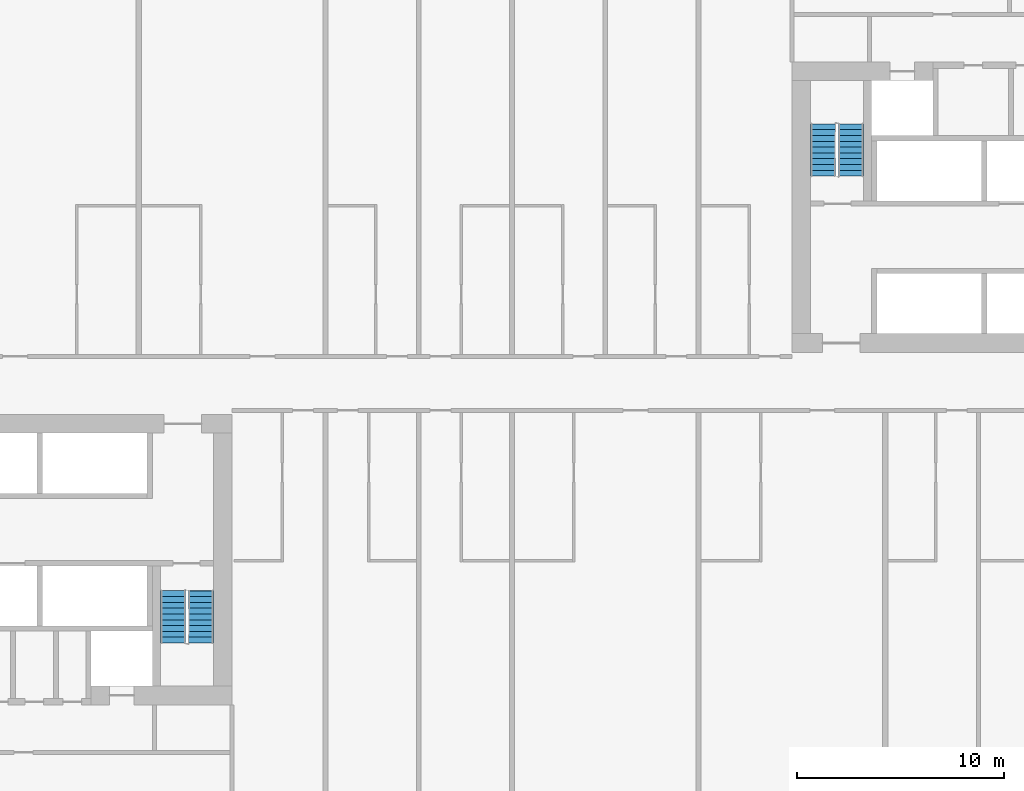
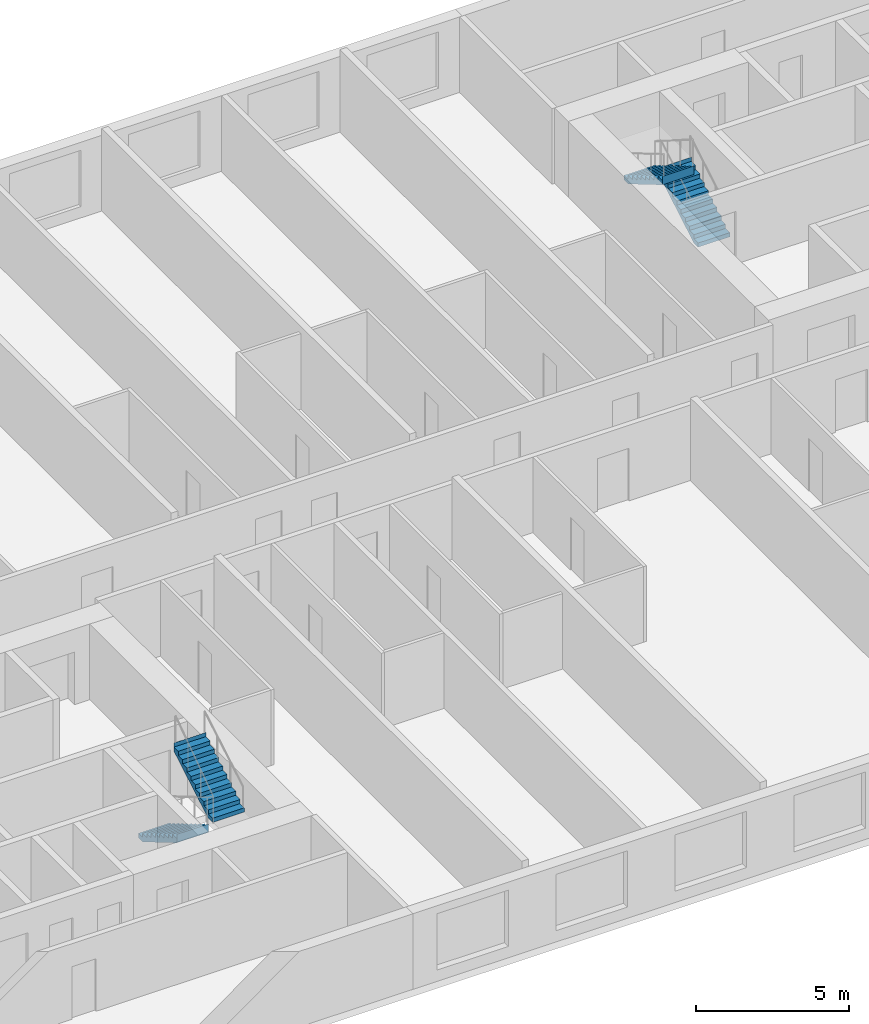
# One storey, part 10 of 12: 4 stair flights, 2 elements without a shape of their own.
"""IFC4 building model written with IfcOpenShell, lengths in metres."""

from ifc_helpers import new_model, si_unit, direction, frame, origin, place, context, subcontext, project, spatial, faceted_brep, material, type_object, element, aggregate, save


model = new_model("IFC4")

# Units and contexts
model_context = context("Model", 3, precision=1e-05, world=origin(), true_north=direction((0.0, 1.0)))
body_context = subcontext(model_context, "Body", "Model", "MODEL_VIEW")
ifc_project = project(units=[si_unit("LENGTHUNIT", "METRE"), si_unit("AREAUNIT", "SQUARE_METRE"), si_unit("VOLUMEUNIT", "CUBIC_METRE"), si_unit("PLANEANGLEUNIT", "RADIAN"), si_unit("MASSUNIT", "GRAM", prefix="KILO")], contexts=[model_context])

# Site, building, storey
site_placement = place(None, origin())
site = spatial("IfcSite", under=ifc_project, at=site_placement, CompositionType="ELEMENT")
building_placement = place(site_placement, origin())
building = spatial("IfcBuilding", under=site, at=building_placement, Name="Kajstack Hotel Tower", CompositionType="ELEMENT")
storey_placement = place(building_placement, frame((0.0, 0.0, 73.199951171875)))
storey = spatial("IfcBuildingStorey", under=building, at=storey_placement, Name="L13", CompositionType="ELEMENT", Elevation=73.199951171875)

# Stair, stair flights
ifc_material = material(Name="Concrete C40/50", Category="concrete")
stair_type = type_object("IfcStairType", Name="Exit stair 1200", PredefinedType="HALF_TURN_STAIR", material=ifc_material)
stair_1_placement = place(storey_placement, origin())
stair_1 = element("IfcStair", 1, at=stair_1_placement, inside=storey, type_object=stair_type, Name="L13 stair W2", PredefinedType="HALF_TURN_STAIR")
stair_flight_type = type_object("IfcStairFlightType", Name="Exit stair flight 1200", PredefinedType="STRAIGHT", material=ifc_material)
stair_flight_1_placement = place(storey_placement, frame((-16.35009765625, -10.0, 0.0), z_axis=(0.0, 0.0, 1.0), x_axis=(0.0, -1.0, 0.0)))
stair_flight_1 = element("IfcStairFlight", 2, at=stair_flight_1_placement, type_object=stair_flight_type, Name="W2 flight 1", NumberOfRisers=10, NumberOfTreads=9, PredefinedType="STRAIGHT", RiserHeight=0.165, TreadLength=0.28, context=body_context, shape_type="Brep", body=[
    faceted_brep([(0.295654296875, -0.60009765625, 0.0), (2.5205078125, -0.60009765625, 1.31103515625), (2.5205078125, -0.60009765625, 1.64990234375), (2.52001953125, -0.60009765625, 1.64990234375), (2.52001953125, -0.60009765625, 1.485107421875), (2.239990234375, -0.60009765625, 1.485107421875), (2.239990234375, -0.60009765625, 1.320068359375), (1.9599609375, -0.60009765625, 1.320068359375), (1.9599609375, -0.60009765625, 1.155029296875), (1.679931640625, -0.60009765625, 1.155029296875), (1.679931640625, -0.60009765625, 0.989990234375), (1.39990234375, -0.60009765625, 0.989990234375), (1.39990234375, -0.60009765625, 0.824951171875), (1.1201171875, -0.60009765625, 0.824951171875), (1.1201171875, -0.60009765625, 0.659912109375), (0.840087890625, -0.60009765625, 0.659912109375), (0.840087890625, -0.60009765625, 0.4951171875), (0.56005859375, -0.60009765625, 0.4951171875), (0.56005859375, -0.60009765625, 0.330078125), (0.280029296875, -0.60009765625, 0.330078125), (0.280029296875, -0.60009765625, 0.1650390625), (-0.00048828125, -0.60009765625, 0.1650390625), (-0.00048828125, -0.60009765625, 0.0), (-0.00048828125, 0.60009765625, 0.0), (-0.00048828125, 0.60009765625, 0.1650390625), (0.280029296875, 0.60009765625, 0.1650390625), (0.280029296875, 0.60009765625, 0.330078125), (0.56005859375, 0.60009765625, 0.330078125), (0.56005859375, 0.60009765625, 0.4951171875), (0.840087890625, 0.60009765625, 0.4951171875), (0.840087890625, 0.60009765625, 0.659912109375), (1.1201171875, 0.60009765625, 0.659912109375), (1.1201171875, 0.60009765625, 0.824951171875), (1.39990234375, 0.60009765625, 0.824951171875), (1.39990234375, 0.60009765625, 0.989990234375), (1.679931640625, 0.60009765625, 0.989990234375), (1.679931640625, 0.60009765625, 1.155029296875), (1.9599609375, 0.60009765625, 1.155029296875), (1.9599609375, 0.60009765625, 1.320068359375), (2.239990234375, 0.60009765625, 1.320068359375), (2.239990234375, 0.60009765625, 1.485107421875), (2.52001953125, 0.60009765625, 1.485107421875), (2.52001953125, 0.60009765625, 1.64990234375), (2.5205078125, 0.60009765625, 1.64990234375), (2.5205078125, 0.60009765625, 1.31103515625), (0.295654296875, 0.60009765625, 0.0), (-0.00048828125, -0.300048828125, 0.1650390625), (-0.00048828125, 0.0, 0.1650390625), (-0.00048828125, 0.300048828125, 0.1650390625), (-0.00048828125, 0.300048828125, 0.0), (-0.00048828125, 0.0, 0.0), (-0.00048828125, -0.300048828125, 0.0), (0.280029296875, -0.300048828125, 0.1650390625), (0.280029296875, 0.0, 0.1650390625), (0.280029296875, 0.300048828125, 0.1650390625), (0.280029296875, -0.300048828125, 0.330078125), (0.280029296875, 0.0, 0.330078125), (0.280029296875, 0.300048828125, 0.330078125), (0.56005859375, -0.300048828125, 0.330078125), (0.56005859375, 0.0, 0.330078125), (0.56005859375, 0.300048828125, 0.330078125), (0.56005859375, -0.300048828125, 0.4951171875), (0.56005859375, 0.0, 0.4951171875), (0.56005859375, 0.300048828125, 0.4951171875), (0.840087890625, -0.300048828125, 0.4951171875), (0.840087890625, 0.0, 0.4951171875), (0.840087890625, 0.300048828125, 0.4951171875), (0.840087890625, -0.300048828125, 0.659912109375), (0.840087890625, 0.0, 0.659912109375), (0.840087890625, 0.300048828125, 0.659912109375), (1.1201171875, -0.300048828125, 0.659912109375), (1.1201171875, 0.0, 0.659912109375), (1.1201171875, 0.300048828125, 0.659912109375), (1.1201171875, -0.300048828125, 0.824951171875), (1.1201171875, 0.0, 0.824951171875), (1.1201171875, 0.300048828125, 0.824951171875), (1.39990234375, -0.300048828125, 0.824951171875), (1.39990234375, 0.0, 0.824951171875), (1.39990234375, 0.300048828125, 0.824951171875), (1.39990234375, -0.300048828125, 0.989990234375), (1.39990234375, 0.0, 0.989990234375), (1.39990234375, 0.300048828125, 0.989990234375), (1.679931640625, -0.300048828125, 0.989990234375), (1.679931640625, 0.0, 0.989990234375), (1.679931640625, 0.300048828125, 0.989990234375), (1.679931640625, -0.300048828125, 1.155029296875), (1.679931640625, 0.0, 1.155029296875), (1.679931640625, 0.300048828125, 1.155029296875), (1.9599609375, -0.300048828125, 1.155029296875), (1.9599609375, 0.0, 1.155029296875), (1.9599609375, 0.300048828125, 1.155029296875), (1.9599609375, -0.300048828125, 1.320068359375), (1.9599609375, 0.0, 1.320068359375), (1.9599609375, 0.300048828125, 1.320068359375), (2.239990234375, -0.300048828125, 1.320068359375), (2.239990234375, 0.0, 1.320068359375), (2.239990234375, 0.300048828125, 1.320068359375), (2.239990234375, -0.300048828125, 1.485107421875), (2.239990234375, 0.0, 1.485107421875), (2.239990234375, 0.300048828125, 1.485107421875), (2.52001953125, -0.300048828125, 1.485107421875), (2.52001953125, 0.0, 1.485107421875), (2.52001953125, 0.300048828125, 1.485107421875), (2.52001953125, -0.300048828125, 1.64990234375), (2.52001953125, 0.0, 1.64990234375), (2.52001953125, 0.300048828125, 1.64990234375), (2.5205078125, -0.300048828125, 1.64990234375), (2.5205078125, 0.0, 1.64990234375), (2.5205078125, 0.300048828125, 1.64990234375), (2.5205078125, -0.300048828125, 1.31103515625), (2.5205078125, 0.0, 1.31103515625), (2.5205078125, 0.300048828125, 1.31103515625), (0.295654296875, -0.300048828125, 0.0), (0.295654296875, 0.0, 0.0), (0.295654296875, 0.300048828125, 0.0)], [[[0, 1, 2, 3, 4, 5, 6, 7, 8, 9, 10, 11, 12, 13, 14, 15, 16, 17, 18, 19, 20, 21, 22]], [[23, 24, 25, 26, 27, 28, 29, 30, 31, 32, 33, 34, 35, 36, 37, 38, 39, 40, 41, 42, 43, 44, 45]], [[21, 46, 47, 48, 24, 23, 49, 50, 51, 22]], [[20, 52, 53, 54, 25, 24, 48, 47, 46, 21]], [[19, 55, 56, 57, 26, 25, 54, 53, 52, 20]], [[18, 58, 59, 60, 27, 26, 57, 56, 55, 19]], [[17, 61, 62, 63, 28, 27, 60, 59, 58, 18]], [[16, 64, 65, 66, 29, 28, 63, 62, 61, 17]], [[15, 67, 68, 69, 30, 29, 66, 65, 64, 16]], [[14, 70, 71, 72, 31, 30, 69, 68, 67, 15]], [[13, 73, 74, 75, 32, 31, 72, 71, 70, 14]], [[12, 76, 77, 78, 33, 32, 75, 74, 73, 13]], [[11, 79, 80, 81, 34, 33, 78, 77, 76, 12]], [[10, 82, 83, 84, 35, 34, 81, 80, 79, 11]], [[9, 85, 86, 87, 36, 35, 84, 83, 82, 10]], [[8, 88, 89, 90, 37, 36, 87, 86, 85, 9]], [[7, 91, 92, 93, 38, 37, 90, 89, 88, 8]], [[6, 94, 95, 96, 39, 38, 93, 92, 91, 7]], [[5, 97, 98, 99, 40, 39, 96, 95, 94, 6]], [[4, 100, 101, 102, 41, 40, 99, 98, 97, 5]], [[3, 103, 104, 105, 42, 41, 102, 101, 100, 4]], [[2, 106, 107, 108, 43, 42, 105, 104, 103, 3]], [[1, 109, 110, 111, 44, 43, 108, 107, 106, 2]], [[0, 112, 113, 114, 45, 44, 111, 110, 109, 1]], [[22, 51, 50, 49, 23, 45, 114, 113, 112, 0]]]),
])
stair_flight_2_placement = place(storey_placement, frame((-15.0, -12.52001953125, 1.650146484375), z_axis=(0.0, 0.0, 1.0), x_axis=(0.0, 1.0, 0.0)))
stair_flight_2 = element("IfcStairFlight", 3, at=stair_flight_2_placement, type_object=stair_flight_type, Name="W2 flight 2", NumberOfRisers=10, NumberOfTreads=9, PredefinedType="STRAIGHT", RiserHeight=0.165, TreadLength=0.28, context=body_context, shape_type="Brep", body=[
    faceted_brep([(0.295654296875, -0.60009765625, 0.0), (2.5205078125, -0.60009765625, 1.31103515625), (2.5205078125, -0.60009765625, 1.64990234375), (2.52001953125, -0.60009765625, 1.64990234375), (2.52001953125, -0.60009765625, 1.485107421875), (2.239990234375, -0.60009765625, 1.485107421875), (2.239990234375, -0.60009765625, 1.320068359375), (1.9599609375, -0.60009765625, 1.320068359375), (1.9599609375, -0.60009765625, 1.155029296875), (1.679931640625, -0.60009765625, 1.155029296875), (1.679931640625, -0.60009765625, 0.989990234375), (1.39990234375, -0.60009765625, 0.989990234375), (1.39990234375, -0.60009765625, 0.824951171875), (1.1201171875, -0.60009765625, 0.824951171875), (1.1201171875, -0.60009765625, 0.659912109375), (0.840087890625, -0.60009765625, 0.659912109375), (0.840087890625, -0.60009765625, 0.4951171875), (0.56005859375, -0.60009765625, 0.4951171875), (0.56005859375, -0.60009765625, 0.330078125), (0.280029296875, -0.60009765625, 0.330078125), (0.280029296875, -0.60009765625, 0.1650390625), (-0.00048828125, -0.60009765625, 0.1650390625), (-0.00048828125, -0.60009765625, 0.0), (-0.00048828125, 0.60009765625, 0.0), (-0.00048828125, 0.60009765625, 0.1650390625), (0.280029296875, 0.60009765625, 0.1650390625), (0.280029296875, 0.60009765625, 0.330078125), (0.56005859375, 0.60009765625, 0.330078125), (0.56005859375, 0.60009765625, 0.4951171875), (0.840087890625, 0.60009765625, 0.4951171875), (0.840087890625, 0.60009765625, 0.659912109375), (1.1201171875, 0.60009765625, 0.659912109375), (1.1201171875, 0.60009765625, 0.824951171875), (1.39990234375, 0.60009765625, 0.824951171875), (1.39990234375, 0.60009765625, 0.989990234375), (1.679931640625, 0.60009765625, 0.989990234375), (1.679931640625, 0.60009765625, 1.155029296875), (1.9599609375, 0.60009765625, 1.155029296875), (1.9599609375, 0.60009765625, 1.320068359375), (2.239990234375, 0.60009765625, 1.320068359375), (2.239990234375, 0.60009765625, 1.485107421875), (2.52001953125, 0.60009765625, 1.485107421875), (2.52001953125, 0.60009765625, 1.64990234375), (2.5205078125, 0.60009765625, 1.64990234375), (2.5205078125, 0.60009765625, 1.31103515625), (0.295654296875, 0.60009765625, 0.0), (-0.00048828125, -0.300048828125, 0.1650390625), (-0.00048828125, 0.0, 0.1650390625), (-0.00048828125, 0.300048828125, 0.1650390625), (-0.00048828125, 0.300048828125, 0.0), (-0.00048828125, 0.0, 0.0), (-0.00048828125, -0.300048828125, 0.0), (0.280029296875, -0.300048828125, 0.1650390625), (0.280029296875, 0.0, 0.1650390625), (0.280029296875, 0.300048828125, 0.1650390625), (0.280029296875, -0.300048828125, 0.330078125), (0.280029296875, 0.0, 0.330078125), (0.280029296875, 0.300048828125, 0.330078125), (0.56005859375, -0.300048828125, 0.330078125), (0.56005859375, 0.0, 0.330078125), (0.56005859375, 0.300048828125, 0.330078125), (0.56005859375, -0.300048828125, 0.4951171875), (0.56005859375, 0.0, 0.4951171875), (0.56005859375, 0.300048828125, 0.4951171875), (0.840087890625, -0.300048828125, 0.4951171875), (0.840087890625, 0.0, 0.4951171875), (0.840087890625, 0.300048828125, 0.4951171875), (0.840087890625, -0.300048828125, 0.659912109375), (0.840087890625, 0.0, 0.659912109375), (0.840087890625, 0.300048828125, 0.659912109375), (1.1201171875, -0.300048828125, 0.659912109375), (1.1201171875, 0.0, 0.659912109375), (1.1201171875, 0.300048828125, 0.659912109375), (1.1201171875, -0.300048828125, 0.824951171875), (1.1201171875, 0.0, 0.824951171875), (1.1201171875, 0.300048828125, 0.824951171875), (1.39990234375, -0.300048828125, 0.824951171875), (1.39990234375, 0.0, 0.824951171875), (1.39990234375, 0.300048828125, 0.824951171875), (1.39990234375, -0.300048828125, 0.989990234375), (1.39990234375, 0.0, 0.989990234375), (1.39990234375, 0.300048828125, 0.989990234375), (1.679931640625, -0.300048828125, 0.989990234375), (1.679931640625, 0.0, 0.989990234375), (1.679931640625, 0.300048828125, 0.989990234375), (1.679931640625, -0.300048828125, 1.155029296875), (1.679931640625, 0.0, 1.155029296875), (1.679931640625, 0.300048828125, 1.155029296875), (1.9599609375, -0.300048828125, 1.155029296875), (1.9599609375, 0.0, 1.155029296875), (1.9599609375, 0.300048828125, 1.155029296875), (1.9599609375, -0.300048828125, 1.320068359375), (1.9599609375, 0.0, 1.320068359375), (1.9599609375, 0.300048828125, 1.320068359375), (2.239990234375, -0.300048828125, 1.320068359375), (2.239990234375, 0.0, 1.320068359375), (2.239990234375, 0.300048828125, 1.320068359375), (2.239990234375, -0.300048828125, 1.485107421875), (2.239990234375, 0.0, 1.485107421875), (2.239990234375, 0.300048828125, 1.485107421875), (2.52001953125, -0.300048828125, 1.485107421875), (2.52001953125, 0.0, 1.485107421875), (2.52001953125, 0.300048828125, 1.485107421875), (2.52001953125, -0.300048828125, 1.64990234375), (2.52001953125, 0.0, 1.64990234375), (2.52001953125, 0.300048828125, 1.64990234375), (2.5205078125, -0.300048828125, 1.64990234375), (2.5205078125, 0.0, 1.64990234375), (2.5205078125, 0.300048828125, 1.64990234375), (2.5205078125, -0.300048828125, 1.31103515625), (2.5205078125, 0.0, 1.31103515625), (2.5205078125, 0.300048828125, 1.31103515625), (0.295654296875, -0.300048828125, 0.0), (0.295654296875, 0.0, 0.0), (0.295654296875, 0.300048828125, 0.0)], [[[0, 1, 2, 3, 4, 5, 6, 7, 8, 9, 10, 11, 12, 13, 14, 15, 16, 17, 18, 19, 20, 21, 22]], [[23, 24, 25, 26, 27, 28, 29, 30, 31, 32, 33, 34, 35, 36, 37, 38, 39, 40, 41, 42, 43, 44, 45]], [[21, 46, 47, 48, 24, 23, 49, 50, 51, 22]], [[20, 52, 53, 54, 25, 24, 48, 47, 46, 21]], [[19, 55, 56, 57, 26, 25, 54, 53, 52, 20]], [[18, 58, 59, 60, 27, 26, 57, 56, 55, 19]], [[17, 61, 62, 63, 28, 27, 60, 59, 58, 18]], [[16, 64, 65, 66, 29, 28, 63, 62, 61, 17]], [[15, 67, 68, 69, 30, 29, 66, 65, 64, 16]], [[14, 70, 71, 72, 31, 30, 69, 68, 67, 15]], [[13, 73, 74, 75, 32, 31, 72, 71, 70, 14]], [[12, 76, 77, 78, 33, 32, 75, 74, 73, 13]], [[11, 79, 80, 81, 34, 33, 78, 77, 76, 12]], [[10, 82, 83, 84, 35, 34, 81, 80, 79, 11]], [[9, 85, 86, 87, 36, 35, 84, 83, 82, 10]], [[8, 88, 89, 90, 37, 36, 87, 86, 85, 9]], [[7, 91, 92, 93, 38, 37, 90, 89, 88, 8]], [[6, 94, 95, 96, 39, 38, 93, 92, 91, 7]], [[5, 97, 98, 99, 40, 39, 96, 95, 94, 6]], [[4, 100, 101, 102, 41, 40, 99, 98, 97, 5]], [[3, 103, 104, 105, 42, 41, 102, 101, 100, 4]], [[2, 106, 107, 108, 43, 42, 105, 104, 103, 3]], [[1, 109, 110, 111, 44, 43, 108, 107, 106, 2]], [[0, 112, 113, 114, 45, 44, 111, 110, 109, 1]], [[22, 51, 50, 49, 23, 45, 114, 113, 112, 0]]]),
])
aggregate(stair_1, [stair_flight_1, stair_flight_2])

stair_2_placement = place(storey_placement, origin())
stair_2 = element("IfcStair", 4, at=stair_2_placement, inside=storey, type_object=stair_type, Name="L13 stair E2", PredefinedType="HALF_TURN_STAIR")
stair_flight_3_placement = place(storey_placement, frame((16.35009765625, 10.0, 0.0), z_axis=(0.0, 0.0, 1.0), x_axis=(0.0, 1.0, 0.0)))
stair_flight_3 = element("IfcStairFlight", 5, at=stair_flight_3_placement, type_object=stair_flight_type, Name="E2 flight 1", NumberOfRisers=10, NumberOfTreads=9, PredefinedType="STRAIGHT", RiserHeight=0.165, TreadLength=0.28, context=body_context, shape_type="Brep", body=[
    faceted_brep([(0.295654296875, -0.60009765625, 0.0), (2.5205078125, -0.60009765625, 1.31103515625), (2.5205078125, -0.60009765625, 1.64990234375), (2.52001953125, -0.60009765625, 1.64990234375), (2.52001953125, -0.60009765625, 1.485107421875), (2.239990234375, -0.60009765625, 1.485107421875), (2.239990234375, -0.60009765625, 1.320068359375), (1.9599609375, -0.60009765625, 1.320068359375), (1.9599609375, -0.60009765625, 1.155029296875), (1.679931640625, -0.60009765625, 1.155029296875), (1.679931640625, -0.60009765625, 0.989990234375), (1.39990234375, -0.60009765625, 0.989990234375), (1.39990234375, -0.60009765625, 0.824951171875), (1.1201171875, -0.60009765625, 0.824951171875), (1.1201171875, -0.60009765625, 0.659912109375), (0.840087890625, -0.60009765625, 0.659912109375), (0.840087890625, -0.60009765625, 0.4951171875), (0.56005859375, -0.60009765625, 0.4951171875), (0.56005859375, -0.60009765625, 0.330078125), (0.280029296875, -0.60009765625, 0.330078125), (0.280029296875, -0.60009765625, 0.1650390625), (-0.00048828125, -0.60009765625, 0.1650390625), (-0.00048828125, -0.60009765625, 0.0), (-0.00048828125, 0.60009765625, 0.0), (-0.00048828125, 0.60009765625, 0.1650390625), (0.280029296875, 0.60009765625, 0.1650390625), (0.280029296875, 0.60009765625, 0.330078125), (0.56005859375, 0.60009765625, 0.330078125), (0.56005859375, 0.60009765625, 0.4951171875), (0.840087890625, 0.60009765625, 0.4951171875), (0.840087890625, 0.60009765625, 0.659912109375), (1.1201171875, 0.60009765625, 0.659912109375), (1.1201171875, 0.60009765625, 0.824951171875), (1.39990234375, 0.60009765625, 0.824951171875), (1.39990234375, 0.60009765625, 0.989990234375), (1.679931640625, 0.60009765625, 0.989990234375), (1.679931640625, 0.60009765625, 1.155029296875), (1.9599609375, 0.60009765625, 1.155029296875), (1.9599609375, 0.60009765625, 1.320068359375), (2.239990234375, 0.60009765625, 1.320068359375), (2.239990234375, 0.60009765625, 1.485107421875), (2.52001953125, 0.60009765625, 1.485107421875), (2.52001953125, 0.60009765625, 1.64990234375), (2.5205078125, 0.60009765625, 1.64990234375), (2.5205078125, 0.60009765625, 1.31103515625), (0.295654296875, 0.60009765625, 0.0), (-0.00048828125, -0.300048828125, 0.1650390625), (-0.00048828125, 0.0, 0.1650390625), (-0.00048828125, 0.300048828125, 0.1650390625), (-0.00048828125, 0.300048828125, 0.0), (-0.00048828125, 0.0, 0.0), (-0.00048828125, -0.300048828125, 0.0), (0.280029296875, -0.300048828125, 0.1650390625), (0.280029296875, 0.0, 0.1650390625), (0.280029296875, 0.300048828125, 0.1650390625), (0.280029296875, -0.300048828125, 0.330078125), (0.280029296875, 0.0, 0.330078125), (0.280029296875, 0.300048828125, 0.330078125), (0.56005859375, -0.300048828125, 0.330078125), (0.56005859375, 0.0, 0.330078125), (0.56005859375, 0.300048828125, 0.330078125), (0.56005859375, -0.300048828125, 0.4951171875), (0.56005859375, 0.0, 0.4951171875), (0.56005859375, 0.300048828125, 0.4951171875), (0.840087890625, -0.300048828125, 0.4951171875), (0.840087890625, 0.0, 0.4951171875), (0.840087890625, 0.300048828125, 0.4951171875), (0.840087890625, -0.300048828125, 0.659912109375), (0.840087890625, 0.0, 0.659912109375), (0.840087890625, 0.300048828125, 0.659912109375), (1.1201171875, -0.300048828125, 0.659912109375), (1.1201171875, 0.0, 0.659912109375), (1.1201171875, 0.300048828125, 0.659912109375), (1.1201171875, -0.300048828125, 0.824951171875), (1.1201171875, 0.0, 0.824951171875), (1.1201171875, 0.300048828125, 0.824951171875), (1.39990234375, -0.300048828125, 0.824951171875), (1.39990234375, 0.0, 0.824951171875), (1.39990234375, 0.300048828125, 0.824951171875), (1.39990234375, -0.300048828125, 0.989990234375), (1.39990234375, 0.0, 0.989990234375), (1.39990234375, 0.300048828125, 0.989990234375), (1.679931640625, -0.300048828125, 0.989990234375), (1.679931640625, 0.0, 0.989990234375), (1.679931640625, 0.300048828125, 0.989990234375), (1.679931640625, -0.300048828125, 1.155029296875), (1.679931640625, 0.0, 1.155029296875), (1.679931640625, 0.300048828125, 1.155029296875), (1.9599609375, -0.300048828125, 1.155029296875), (1.9599609375, 0.0, 1.155029296875), (1.9599609375, 0.300048828125, 1.155029296875), (1.9599609375, -0.300048828125, 1.320068359375), (1.9599609375, 0.0, 1.320068359375), (1.9599609375, 0.300048828125, 1.320068359375), (2.239990234375, -0.300048828125, 1.320068359375), (2.239990234375, 0.0, 1.320068359375), (2.239990234375, 0.300048828125, 1.320068359375), (2.239990234375, -0.300048828125, 1.485107421875), (2.239990234375, 0.0, 1.485107421875), (2.239990234375, 0.300048828125, 1.485107421875), (2.52001953125, -0.300048828125, 1.485107421875), (2.52001953125, 0.0, 1.485107421875), (2.52001953125, 0.300048828125, 1.485107421875), (2.52001953125, -0.300048828125, 1.64990234375), (2.52001953125, 0.0, 1.64990234375), (2.52001953125, 0.300048828125, 1.64990234375), (2.5205078125, -0.300048828125, 1.64990234375), (2.5205078125, 0.0, 1.64990234375), (2.5205078125, 0.300048828125, 1.64990234375), (2.5205078125, -0.300048828125, 1.31103515625), (2.5205078125, 0.0, 1.31103515625), (2.5205078125, 0.300048828125, 1.31103515625), (0.295654296875, -0.300048828125, 0.0), (0.295654296875, 0.0, 0.0), (0.295654296875, 0.300048828125, 0.0)], [[[0, 1, 2, 3, 4, 5, 6, 7, 8, 9, 10, 11, 12, 13, 14, 15, 16, 17, 18, 19, 20, 21, 22]], [[23, 24, 25, 26, 27, 28, 29, 30, 31, 32, 33, 34, 35, 36, 37, 38, 39, 40, 41, 42, 43, 44, 45]], [[21, 46, 47, 48, 24, 23, 49, 50, 51, 22]], [[20, 52, 53, 54, 25, 24, 48, 47, 46, 21]], [[19, 55, 56, 57, 26, 25, 54, 53, 52, 20]], [[18, 58, 59, 60, 27, 26, 57, 56, 55, 19]], [[17, 61, 62, 63, 28, 27, 60, 59, 58, 18]], [[16, 64, 65, 66, 29, 28, 63, 62, 61, 17]], [[15, 67, 68, 69, 30, 29, 66, 65, 64, 16]], [[14, 70, 71, 72, 31, 30, 69, 68, 67, 15]], [[13, 73, 74, 75, 32, 31, 72, 71, 70, 14]], [[12, 76, 77, 78, 33, 32, 75, 74, 73, 13]], [[11, 79, 80, 81, 34, 33, 78, 77, 76, 12]], [[10, 82, 83, 84, 35, 34, 81, 80, 79, 11]], [[9, 85, 86, 87, 36, 35, 84, 83, 82, 10]], [[8, 88, 89, 90, 37, 36, 87, 86, 85, 9]], [[7, 91, 92, 93, 38, 37, 90, 89, 88, 8]], [[6, 94, 95, 96, 39, 38, 93, 92, 91, 7]], [[5, 97, 98, 99, 40, 39, 96, 95, 94, 6]], [[4, 100, 101, 102, 41, 40, 99, 98, 97, 5]], [[3, 103, 104, 105, 42, 41, 102, 101, 100, 4]], [[2, 106, 107, 108, 43, 42, 105, 104, 103, 3]], [[1, 109, 110, 111, 44, 43, 108, 107, 106, 2]], [[0, 112, 113, 114, 45, 44, 111, 110, 109, 1]], [[22, 51, 50, 49, 23, 45, 114, 113, 112, 0]]]),
])
stair_flight_4_placement = place(storey_placement, frame((15.0, 12.52001953125, 1.650146484375), z_axis=(0.0, 0.0, 1.0), x_axis=(0.0, -1.0, 0.0)))
stair_flight_4 = element("IfcStairFlight", 6, at=stair_flight_4_placement, type_object=stair_flight_type, Name="E2 flight 2", NumberOfRisers=10, NumberOfTreads=9, PredefinedType="STRAIGHT", RiserHeight=0.165, TreadLength=0.28, context=body_context, shape_type="Brep", body=[
    faceted_brep([(0.295654296875, -0.60009765625, 0.0), (2.5205078125, -0.60009765625, 1.31103515625), (2.5205078125, -0.60009765625, 1.64990234375), (2.52001953125, -0.60009765625, 1.64990234375), (2.52001953125, -0.60009765625, 1.485107421875), (2.239990234375, -0.60009765625, 1.485107421875), (2.239990234375, -0.60009765625, 1.320068359375), (1.9599609375, -0.60009765625, 1.320068359375), (1.9599609375, -0.60009765625, 1.155029296875), (1.679931640625, -0.60009765625, 1.155029296875), (1.679931640625, -0.60009765625, 0.989990234375), (1.39990234375, -0.60009765625, 0.989990234375), (1.39990234375, -0.60009765625, 0.824951171875), (1.1201171875, -0.60009765625, 0.824951171875), (1.1201171875, -0.60009765625, 0.659912109375), (0.840087890625, -0.60009765625, 0.659912109375), (0.840087890625, -0.60009765625, 0.4951171875), (0.56005859375, -0.60009765625, 0.4951171875), (0.56005859375, -0.60009765625, 0.330078125), (0.280029296875, -0.60009765625, 0.330078125), (0.280029296875, -0.60009765625, 0.1650390625), (-0.00048828125, -0.60009765625, 0.1650390625), (-0.00048828125, -0.60009765625, 0.0), (-0.00048828125, 0.60009765625, 0.0), (-0.00048828125, 0.60009765625, 0.1650390625), (0.280029296875, 0.60009765625, 0.1650390625), (0.280029296875, 0.60009765625, 0.330078125), (0.56005859375, 0.60009765625, 0.330078125), (0.56005859375, 0.60009765625, 0.4951171875), (0.840087890625, 0.60009765625, 0.4951171875), (0.840087890625, 0.60009765625, 0.659912109375), (1.1201171875, 0.60009765625, 0.659912109375), (1.1201171875, 0.60009765625, 0.824951171875), (1.39990234375, 0.60009765625, 0.824951171875), (1.39990234375, 0.60009765625, 0.989990234375), (1.679931640625, 0.60009765625, 0.989990234375), (1.679931640625, 0.60009765625, 1.155029296875), (1.9599609375, 0.60009765625, 1.155029296875), (1.9599609375, 0.60009765625, 1.320068359375), (2.239990234375, 0.60009765625, 1.320068359375), (2.239990234375, 0.60009765625, 1.485107421875), (2.52001953125, 0.60009765625, 1.485107421875), (2.52001953125, 0.60009765625, 1.64990234375), (2.5205078125, 0.60009765625, 1.64990234375), (2.5205078125, 0.60009765625, 1.31103515625), (0.295654296875, 0.60009765625, 0.0), (-0.00048828125, -0.300048828125, 0.1650390625), (-0.00048828125, 0.0, 0.1650390625), (-0.00048828125, 0.300048828125, 0.1650390625), (-0.00048828125, 0.300048828125, 0.0), (-0.00048828125, 0.0, 0.0), (-0.00048828125, -0.300048828125, 0.0), (0.280029296875, -0.300048828125, 0.1650390625), (0.280029296875, 0.0, 0.1650390625), (0.280029296875, 0.300048828125, 0.1650390625), (0.280029296875, -0.300048828125, 0.330078125), (0.280029296875, 0.0, 0.330078125), (0.280029296875, 0.300048828125, 0.330078125), (0.56005859375, -0.300048828125, 0.330078125), (0.56005859375, 0.0, 0.330078125), (0.56005859375, 0.300048828125, 0.330078125), (0.56005859375, -0.300048828125, 0.4951171875), (0.56005859375, 0.0, 0.4951171875), (0.56005859375, 0.300048828125, 0.4951171875), (0.840087890625, -0.300048828125, 0.4951171875), (0.840087890625, 0.0, 0.4951171875), (0.840087890625, 0.300048828125, 0.4951171875), (0.840087890625, -0.300048828125, 0.659912109375), (0.840087890625, 0.0, 0.659912109375), (0.840087890625, 0.300048828125, 0.659912109375), (1.1201171875, -0.300048828125, 0.659912109375), (1.1201171875, 0.0, 0.659912109375), (1.1201171875, 0.300048828125, 0.659912109375), (1.1201171875, -0.300048828125, 0.824951171875), (1.1201171875, 0.0, 0.824951171875), (1.1201171875, 0.300048828125, 0.824951171875), (1.39990234375, -0.300048828125, 0.824951171875), (1.39990234375, 0.0, 0.824951171875), (1.39990234375, 0.300048828125, 0.824951171875), (1.39990234375, -0.300048828125, 0.989990234375), (1.39990234375, 0.0, 0.989990234375), (1.39990234375, 0.300048828125, 0.989990234375), (1.679931640625, -0.300048828125, 0.989990234375), (1.679931640625, 0.0, 0.989990234375), (1.679931640625, 0.300048828125, 0.989990234375), (1.679931640625, -0.300048828125, 1.155029296875), (1.679931640625, 0.0, 1.155029296875), (1.679931640625, 0.300048828125, 1.155029296875), (1.9599609375, -0.300048828125, 1.155029296875), (1.9599609375, 0.0, 1.155029296875), (1.9599609375, 0.300048828125, 1.155029296875), (1.9599609375, -0.300048828125, 1.320068359375), (1.9599609375, 0.0, 1.320068359375), (1.9599609375, 0.300048828125, 1.320068359375), (2.239990234375, -0.300048828125, 1.320068359375), (2.239990234375, 0.0, 1.320068359375), (2.239990234375, 0.300048828125, 1.320068359375), (2.239990234375, -0.300048828125, 1.485107421875), (2.239990234375, 0.0, 1.485107421875), (2.239990234375, 0.300048828125, 1.485107421875), (2.52001953125, -0.300048828125, 1.485107421875), (2.52001953125, 0.0, 1.485107421875), (2.52001953125, 0.300048828125, 1.485107421875), (2.52001953125, -0.300048828125, 1.64990234375), (2.52001953125, 0.0, 1.64990234375), (2.52001953125, 0.300048828125, 1.64990234375), (2.5205078125, -0.300048828125, 1.64990234375), (2.5205078125, 0.0, 1.64990234375), (2.5205078125, 0.300048828125, 1.64990234375), (2.5205078125, -0.300048828125, 1.31103515625), (2.5205078125, 0.0, 1.31103515625), (2.5205078125, 0.300048828125, 1.31103515625), (0.295654296875, -0.300048828125, 0.0), (0.295654296875, 0.0, 0.0), (0.295654296875, 0.300048828125, 0.0)], [[[0, 1, 2, 3, 4, 5, 6, 7, 8, 9, 10, 11, 12, 13, 14, 15, 16, 17, 18, 19, 20, 21, 22]], [[23, 24, 25, 26, 27, 28, 29, 30, 31, 32, 33, 34, 35, 36, 37, 38, 39, 40, 41, 42, 43, 44, 45]], [[21, 46, 47, 48, 24, 23, 49, 50, 51, 22]], [[20, 52, 53, 54, 25, 24, 48, 47, 46, 21]], [[19, 55, 56, 57, 26, 25, 54, 53, 52, 20]], [[18, 58, 59, 60, 27, 26, 57, 56, 55, 19]], [[17, 61, 62, 63, 28, 27, 60, 59, 58, 18]], [[16, 64, 65, 66, 29, 28, 63, 62, 61, 17]], [[15, 67, 68, 69, 30, 29, 66, 65, 64, 16]], [[14, 70, 71, 72, 31, 30, 69, 68, 67, 15]], [[13, 73, 74, 75, 32, 31, 72, 71, 70, 14]], [[12, 76, 77, 78, 33, 32, 75, 74, 73, 13]], [[11, 79, 80, 81, 34, 33, 78, 77, 76, 12]], [[10, 82, 83, 84, 35, 34, 81, 80, 79, 11]], [[9, 85, 86, 87, 36, 35, 84, 83, 82, 10]], [[8, 88, 89, 90, 37, 36, 87, 86, 85, 9]], [[7, 91, 92, 93, 38, 37, 90, 89, 88, 8]], [[6, 94, 95, 96, 39, 38, 93, 92, 91, 7]], [[5, 97, 98, 99, 40, 39, 96, 95, 94, 6]], [[4, 100, 101, 102, 41, 40, 99, 98, 97, 5]], [[3, 103, 104, 105, 42, 41, 102, 101, 100, 4]], [[2, 106, 107, 108, 43, 42, 105, 104, 103, 3]], [[1, 109, 110, 111, 44, 43, 108, 107, 106, 2]], [[0, 112, 113, 114, 45, 44, 111, 110, 109, 1]], [[22, 51, 50, 49, 23, 45, 114, 113, 112, 0]]]),
])
aggregate(stair_2, [stair_flight_3, stair_flight_4])

save(model, "model.ifc")
